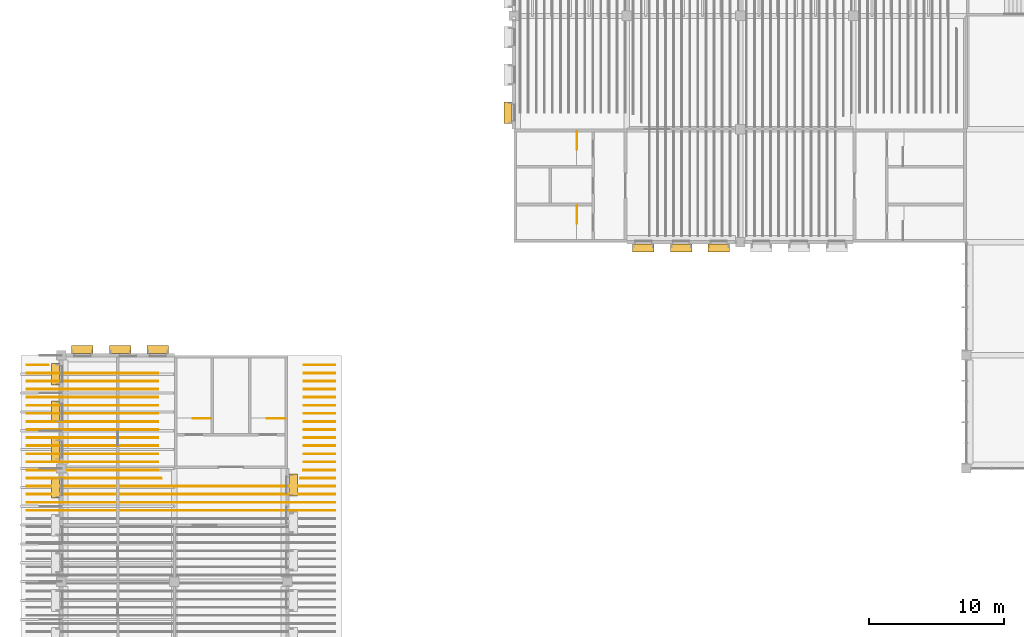
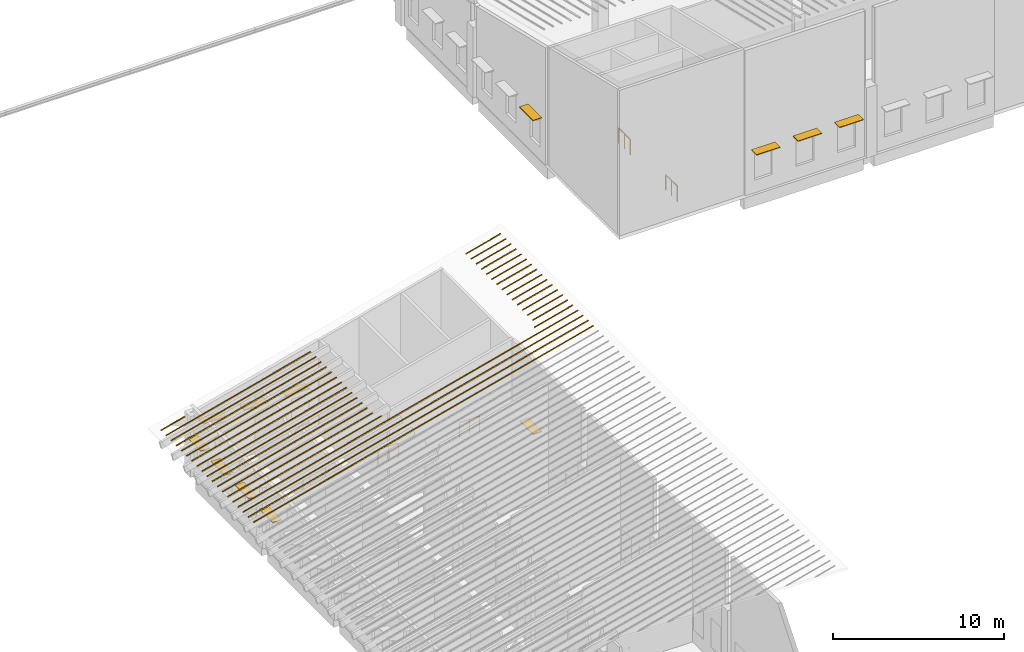
# One storey, part 64 of 82: 34 coverings, 12 shading devices, 4 railings.
"""IFC4 building model written with IfcOpenShell, lengths in metres."""

from ifc_helpers import new_model, si_unit, direction, frame, origin, origin_2d, place, context, subcontext, project, spatial, polyline, rectangle, circle, outline, extrude, material, layer, layer_set, material_profile, profile_set, type_object, element, save


model = new_model("IFC4")

# Units and contexts
model_context = context("Model", 3, precision=1e-05, world=origin(), true_north=direction((0.0, 1.0)))
body_context = subcontext(model_context, "Body", "Model", "MODEL_VIEW")
ifc_project = project(units=[si_unit("LENGTHUNIT", "METRE"), si_unit("AREAUNIT", "SQUARE_METRE"), si_unit("VOLUMEUNIT", "CUBIC_METRE"), si_unit("PLANEANGLEUNIT", "RADIAN"), si_unit("MASSUNIT", "GRAM", prefix="KILO")], contexts=[model_context])

# Site, building, storey
site_placement = place(None, origin())
site = spatial("IfcSite", under=ifc_project, at=site_placement, CompositionType="ELEMENT")
building_placement = place(site_placement, origin())
building = spatial("IfcBuilding", under=site, at=building_placement, Name="Almond Square Museum", CompositionType="ELEMENT")
storey_placement = place(building_placement, frame((0.0, 0.0, 20.0)))
storey = spatial("IfcBuildingStorey", under=building, at=storey_placement, Name="L03", CompositionType="ELEMENT", Elevation=20.0)

# Coverings
ifc_material_1 = material(Name="Zinc standing seam")
ifc_layer = layer(ifc_material_1, 0.0400390625)
ifc_layer_set = layer_set([ifc_layer], Name="Zinc standing seam")
covering_type = type_object("IfcCoveringType", Name="Roof standing seam rib 60 x 40", PredefinedType="CLADDING", material=ifc_layer_set)
for number, where, z_axis, x_axis, name in (
    (1, (26.35009765625, 64.110107421875, 10.329833984375), (-0.253365136604, 0.0, 0.96737071878), (-0.96737071878, 0.0, -0.253365136604), "Roof standing seam rib"),
    (2, (26.35009765625, 64.7099609375, 10.329833984375), (-0.253365136604, 0.0, 0.96737071878), (-0.96737071878, 0.0, -0.253365136604), "Roof standing seam rib"),
    (3, (26.35009765625, 65.31005859375, 10.329833984375), (-0.253365136604, 0.0, 0.96737071878), (-0.96737071878, 0.0, -0.253365136604), "Roof standing seam rib"),
):
    element("IfcCovering", number, at=place(storey_placement, frame(where, z_axis=z_axis, x_axis=x_axis)), inside=storey, type_object=covering_type, Name=name, PredefinedType="CLADDING", context=body_context, shape_type="SweptSolid", body=[
        extrude(outline(polyline([(0.0, 0.0), (23.672565273884217, 0.0), (23.672565273884217, 0.060058593750000014), (0.0, 0.060058593750000014), (0.0, 0.0)])), origin(), (0.0, 0.0, 1.0), 0.0400390625),
    ])
covering_1_placement = place(storey_placement, frame((26.35009765625, 65.909912109375, 10.329833984375), z_axis=(-0.253365136604, 0.0, 0.96737071878), x_axis=(-0.96737071878, 0.0, -0.253365136604)))
element("IfcCovering", 4, at=covering_1_placement, inside=storey, type_object=covering_type, Name="Roof standing seam rib", PredefinedType="CLADDING", context=body_context, shape_type="SweptSolid", body=[
    extrude(outline(polyline([(0.0, 0.0), (23.672565273884217, 0.0), (23.672565273884217, 0.059814453125000014), (0.0, 0.059814453125000014), (0.0, 0.0)])), origin(), (0.0, 0.0, 1.0), 0.0400390625),
])
covering_2_placement = place(storey_placement, frame((26.35009765625, 66.510009765625, 10.329833984375), z_axis=(-0.253412128758, -0.000634524892, 0.96735820169), x_axis=(-0.967358396431, 9.103e-09, -0.253412179767)))
element("IfcCovering", 5, at=covering_2_placement, inside=storey, type_object=covering_type, Name="Roof standing seam rib", PredefinedType="CLADDING", context=body_context, shape_type="SweptSolid", body=[
    extrude(outline(polyline([(0.0, 0.0), (2.6562755131969933, 2.168404344971009e-19), (2.7022283966295766, 0.06005863043968419), (-5.467320429400342e-10, 0.06005858165954805), (0.0, 0.0)])), origin(), (0.0, 0.0, 1.0), 0.0400390625),
])
covering_3_placement = place(storey_placement, frame((13.464111328125, 66.449951171875, 6.954833984375), z_axis=(-0.253362812646, 0.000139082365, 0.96737131745), x_axis=(-0.589709640263, 0.792686900591, -0.154563960263)))
element("IfcCovering", 6, at=covering_3_placement, inside=storey, type_object=covering_type, Name="Roof standing seam rib", PredefinedType="CLADDING", context=body_context, shape_type="SweptSolid", body=[
    extrude(outline(polyline([(0.0, 0.0), (0.07576584760892577, -1.1275702593849246e-17), (6.358445221426872, 8.169227577884401), (6.310837560893332, 8.20584103540997), (0.0, 0.0)])), origin(), (0.0, 0.0, 1.0), 0.0400390625),
])
covering_4_placement = place(storey_placement, frame((23.989501953125, 67.050048828125, 9.71142578125), z_axis=(-0.253398353042, -0.000887342386, 0.967361611446), x_axis=(0.967361992281, 1.9379e-08, 0.253398452819)))
element("IfcCovering", 7, at=covering_4_placement, inside=storey, type_object=covering_type, Name="Roof standing seam rib", PredefinedType="CLADDING", context=body_context, shape_type="SweptSolid", body=[
    extrude(outline(polyline([(0.0, 0.0), (2.4402542442262876, 0.0), (2.4402542453901392, 0.06005857010563235), (0.006337364195283949, 0.060058664560312225), (0.0, 0.0)])), origin(), (0.0, 0.0, 1.0), 0.0400390625),
])
covering_5_placement = place(storey_placement, frame((3.449951171875, 67.110107421875, 4.33203125), z_axis=(-0.253369317302, -0.001592260914, 0.967368313392), x_axis=(0.000403430572, -0.999998732352, -0.001540304707)))
element("IfcCovering", 8, at=covering_5_placement, inside=storey, type_object=covering_type, Name="Roof standing seam rib", PredefinedType="CLADDING", context=body_context, shape_type="SweptSolid", body=[
    extrude(outline(polyline([(0.0, 0.0), (0.06005851761683102, 0.0), (0.0600586698832655, 10.089957929893576), (-1.5226643446802912e-07, 10.083446253657613), (0.0, 0.0)])), origin(), (0.0, 0.0, 1.0), 0.0400390625),
])
covering_6_placement = place(storey_placement, frame((26.35009765625, 67.7099609375, 10.329833984375), z_axis=(-0.253350435153, 0.0, 0.967374569134), x_axis=(-0.967374569134, 0.0, -0.253350435153)))
element("IfcCovering", 9, at=covering_6_placement, inside=storey, type_object=covering_type, Name="Roof standing seam rib", PredefinedType="CLADDING", context=body_context, shape_type="SweptSolid", body=[
    extrude(outline(polyline([(0.0, 0.0), (2.429356457399304, 0.0), (2.429356457399304, 0.060058593750000014), (0.0, 0.060058593750000014), (0.0, 0.0)])), origin(), (0.0, 0.0, 1.0), 0.0400390625),
])
covering_7_placement = place(storey_placement, frame((13.199951171875, 67.64990234375, 6.8857421875), z_axis=(-0.253372345004, 0.0, 0.967368830792), x_axis=(0.0, 1.0, 0.0)))
element("IfcCovering", 10, at=covering_7_placement, inside=storey, type_object=covering_type, Name="Roof standing seam rib", PredefinedType="CLADDING", context=body_context, shape_type="SweptSolid", body=[
    extrude(outline(polyline([(0.0, 0.0), (0.06005859375, 0.0), (0.06005859375, 10.078885828915173), (0.0, 10.078885828915173), (0.0, 0.0)])), origin(), (0.0, 0.0, 1.0), 0.0400390625),
])
covering_8_placement = place(storey_placement, frame((26.35009765625, 68.31005859375, 10.329833984375), z_axis=(-0.253350435153, 0.0, 0.967374569134), x_axis=(-0.967374569134, 0.0, -0.253350435153)))
element("IfcCovering", 11, at=covering_8_placement, inside=storey, type_object=covering_type, Name="Roof standing seam rib", PredefinedType="CLADDING", context=body_context, shape_type="SweptSolid", body=[
    extrude(outline(polyline([(0.0, 0.0), (2.429356457399304, 0.0), (2.429356457399304, 0.060058593750000014), (0.0, 0.060058593750000014), (0.0, 0.0)])), origin(), (0.0, 0.0, 1.0), 0.0400390625),
])
covering_9_placement = place(storey_placement, frame((13.199951171875, 68.25, 6.8857421875), z_axis=(-0.253372345004, 0.0, 0.967368830792), x_axis=(0.0, 1.0, 0.0)))
element("IfcCovering", 12, at=covering_9_placement, inside=storey, type_object=covering_type, Name="Roof standing seam rib", PredefinedType="CLADDING", context=body_context, shape_type="SweptSolid", body=[
    extrude(outline(polyline([(0.0, 0.0), (0.06005859375, 0.0), (0.06005859375, 10.078885828915173), (0.0, 10.078885828915173), (0.0, 0.0)])), origin(), (0.0, 0.0, 1.0), 0.0400390625),
])
covering_10_placement = place(storey_placement, frame((26.35009765625, 68.909912109375, 10.329833984375), z_axis=(-0.253350435153, 0.0, 0.967374569134), x_axis=(-0.967374569134, 0.0, -0.253350435153)))
element("IfcCovering", 13, at=covering_10_placement, inside=storey, type_object=covering_type, Name="Roof standing seam rib", PredefinedType="CLADDING", context=body_context, shape_type="SweptSolid", body=[
    extrude(outline(polyline([(0.0, 0.0), (2.429356457399304, 0.0), (2.429356457399304, 0.059814453125000014), (0.0, 0.059814453125000014), (0.0, 0.0)])), origin(), (0.0, 0.0, 1.0), 0.0400390625),
])
covering_11_placement = place(storey_placement, frame((13.199951171875, 68.85009765625, 6.8857421875), z_axis=(-0.253372345004, 0.0, 0.967368830792), x_axis=(0.0, 1.0, 0.0)))
element("IfcCovering", 14, at=covering_11_placement, inside=storey, type_object=covering_type, Name="Roof standing seam rib", PredefinedType="CLADDING", context=body_context, shape_type="SweptSolid", body=[
    extrude(outline(polyline([(0.0, 0.0), (0.059814453125, 0.0), (0.059814453125, 10.078885828915173), (0.0, 10.078885828915173), (0.0, 0.0)])), origin(), (0.0, 0.0, 1.0), 0.0400390625),
])
covering_12_placement = place(storey_placement, frame((26.35009765625, 69.510009765625, 10.329833984375), z_axis=(-0.253350435153, 0.0, 0.967374569134), x_axis=(-0.967374569134, 0.0, -0.253350435153)))
element("IfcCovering", 15, at=covering_12_placement, inside=storey, type_object=covering_type, Name="Roof standing seam rib", PredefinedType="CLADDING", context=body_context, shape_type="SweptSolid", body=[
    extrude(outline(polyline([(0.0, 0.0), (2.429356457399304, 0.0), (2.429356457399304, 0.060058593750000014), (0.0, 0.060058593750000014), (0.0, 0.0)])), origin(), (0.0, 0.0, 1.0), 0.0400390625),
])
covering_13_placement = place(storey_placement, frame((13.199951171875, 69.449951171875, 6.8857421875), z_axis=(-0.253372345004, 0.0, 0.967368830792), x_axis=(0.0, 1.0, 0.0)))
element("IfcCovering", 16, at=covering_13_placement, inside=storey, type_object=covering_type, Name="Roof standing seam rib", PredefinedType="CLADDING", context=body_context, shape_type="SweptSolid", body=[
    extrude(outline(polyline([(0.0, 0.0), (0.06005859375, 0.0), (0.06005859375, 10.078885828915173), (0.0, 10.078885828915173), (0.0, 0.0)])), origin(), (0.0, 0.0, 1.0), 0.0400390625),
])
covering_14_placement = place(storey_placement, frame((26.35009765625, 70.110107421875, 10.329833984375), z_axis=(-0.253350435153, 0.0, 0.967374569134), x_axis=(-0.967374569134, 0.0, -0.253350435153)))
element("IfcCovering", 17, at=covering_14_placement, inside=storey, type_object=covering_type, Name="Roof standing seam rib", PredefinedType="CLADDING", context=body_context, shape_type="SweptSolid", body=[
    extrude(outline(polyline([(0.0, 0.0), (2.429356457399304, 0.0), (2.429356457399304, 0.060058593750000014), (0.0, 0.060058593750000014), (0.0, 0.0)])), origin(), (0.0, 0.0, 1.0), 0.0400390625),
])
covering_15_placement = place(storey_placement, frame((13.199951171875, 70.050048828125, 6.8857421875), z_axis=(-0.253372345004, 0.0, 0.967368830792), x_axis=(0.0, 1.0, 0.0)))
element("IfcCovering", 18, at=covering_15_placement, inside=storey, type_object=covering_type, Name="Roof standing seam rib", PredefinedType="CLADDING", context=body_context, shape_type="SweptSolid", body=[
    extrude(outline(polyline([(0.0, 0.0), (0.06005859375, 0.0), (0.06005859375, 10.078885828915173), (0.0, 10.078885828915173), (0.0, 0.0)])), origin(), (0.0, 0.0, 1.0), 0.0400390625),
])
covering_16_placement = place(storey_placement, frame((26.35009765625, 70.7099609375, 10.329833984375), z_axis=(-0.253350435153, 0.0, 0.967374569134), x_axis=(-0.967374569134, 0.0, -0.253350435153)))
element("IfcCovering", 19, at=covering_16_placement, inside=storey, type_object=covering_type, Name="Roof standing seam rib", PredefinedType="CLADDING", context=body_context, shape_type="SweptSolid", body=[
    extrude(outline(polyline([(0.0, 0.0), (2.429356457399304, 0.0), (2.429356457399304, 0.060058593750000014), (0.0, 0.060058593750000014), (0.0, 0.0)])), origin(), (0.0, 0.0, 1.0), 0.0400390625),
])
covering_17_placement = place(storey_placement, frame((13.199951171875, 70.64990234375, 6.8857421875), z_axis=(-0.253372345004, 0.0, 0.967368830792), x_axis=(0.0, 1.0, 0.0)))
element("IfcCovering", 20, at=covering_17_placement, inside=storey, type_object=covering_type, Name="Roof standing seam rib", PredefinedType="CLADDING", context=body_context, shape_type="SweptSolid", body=[
    extrude(outline(polyline([(0.0, 0.0), (0.06005859375, 0.0), (0.06005859375, 10.078885828915173), (0.0, 10.078885828915173), (0.0, 0.0)])), origin(), (0.0, 0.0, 1.0), 0.0400390625),
])
covering_18_placement = place(storey_placement, frame((26.35009765625, 71.31005859375, 10.329833984375), z_axis=(-0.253350435153, 0.0, 0.967374569134), x_axis=(-0.967374569134, 0.0, -0.253350435153)))
element("IfcCovering", 21, at=covering_18_placement, inside=storey, type_object=covering_type, Name="Roof standing seam rib", PredefinedType="CLADDING", context=body_context, shape_type="SweptSolid", body=[
    extrude(outline(polyline([(0.0, 0.0), (2.429356457399304, 0.0), (2.429356457399304, 0.060058593750000014), (0.0, 0.060058593750000014), (0.0, 0.0)])), origin(), (0.0, 0.0, 1.0), 0.0400390625),
])
covering_19_placement = place(storey_placement, frame((13.199951171875, 71.25, 6.8857421875), z_axis=(-0.253372345004, 0.0, 0.967368830792), x_axis=(0.0, 1.0, 0.0)))
element("IfcCovering", 22, at=covering_19_placement, inside=storey, type_object=covering_type, Name="Roof standing seam rib", PredefinedType="CLADDING", context=body_context, shape_type="SweptSolid", body=[
    extrude(outline(polyline([(0.0, 0.0), (0.06005859375, 0.0), (0.06005859375, 10.078885828915173), (0.0, 10.078885828915173), (0.0, 0.0)])), origin(), (0.0, 0.0, 1.0), 0.0400390625),
])
covering_20_placement = place(storey_placement, frame((26.35009765625, 71.909912109375, 10.329833984375), z_axis=(-0.253350435153, 0.0, 0.967374569134), x_axis=(-0.967374569134, 0.0, -0.253350435153)))
element("IfcCovering", 23, at=covering_20_placement, inside=storey, type_object=covering_type, Name="Roof standing seam rib", PredefinedType="CLADDING", context=body_context, shape_type="SweptSolid", body=[
    extrude(outline(polyline([(0.0, 0.0), (2.429356457399304, 0.0), (2.429356457399304, 0.059814453125000014), (0.0, 0.059814453125000014), (0.0, 0.0)])), origin(), (0.0, 0.0, 1.0), 0.0400390625),
])
covering_21_placement = place(storey_placement, frame((13.199951171875, 71.85009765625, 6.8857421875), z_axis=(-0.253372345004, 0.0, 0.967368830792), x_axis=(0.0, 1.0, 0.0)))
element("IfcCovering", 24, at=covering_21_placement, inside=storey, type_object=covering_type, Name="Roof standing seam rib", PredefinedType="CLADDING", context=body_context, shape_type="SweptSolid", body=[
    extrude(outline(polyline([(0.0, 0.0), (0.059814453125, 0.0), (0.059814453125, 10.078885828915173), (0.0, 10.078885828915173), (0.0, 0.0)])), origin(), (0.0, 0.0, 1.0), 0.0400390625),
])
covering_22_placement = place(storey_placement, frame((26.35009765625, 72.510009765625, 10.329833984375), z_axis=(-0.253350435153, 0.0, 0.967374569134), x_axis=(-0.967374569134, 0.0, -0.253350435153)))
element("IfcCovering", 25, at=covering_22_placement, inside=storey, type_object=covering_type, Name="Roof standing seam rib", PredefinedType="CLADDING", context=body_context, shape_type="SweptSolid", body=[
    extrude(outline(polyline([(0.0, 0.0), (2.429356457399304, 0.0), (2.429356457399304, 0.060058593750000014), (0.0, 0.060058593750000014), (0.0, 0.0)])), origin(), (0.0, 0.0, 1.0), 0.0400390625),
])
covering_23_placement = place(storey_placement, frame((13.199951171875, 72.449951171875, 6.8857421875), z_axis=(-0.253372345004, 0.0, 0.967368830792), x_axis=(0.0, 1.0, 0.0)))
element("IfcCovering", 26, at=covering_23_placement, inside=storey, type_object=covering_type, Name="Roof standing seam rib", PredefinedType="CLADDING", context=body_context, shape_type="SweptSolid", body=[
    extrude(outline(polyline([(0.0, 0.0), (0.06005859375, 0.0), (0.06005859375, 10.078885828915173), (0.0, 10.078885828915173), (0.0, 0.0)])), origin(), (0.0, 0.0, 1.0), 0.0400390625),
])
covering_24_placement = place(storey_placement, frame((26.35009765625, 73.110107421875, 10.329833984375), z_axis=(-0.253350435153, 0.0, 0.967374569134), x_axis=(-0.967374569134, 0.0, -0.253350435153)))
element("IfcCovering", 27, at=covering_24_placement, inside=storey, type_object=covering_type, Name="Roof standing seam rib", PredefinedType="CLADDING", context=body_context, shape_type="SweptSolid", body=[
    extrude(outline(polyline([(0.0, 0.0), (2.429356457399304, 0.0), (2.429356457399304, 0.060058593750000014), (0.0, 0.060058593750000014), (0.0, 0.0)])), origin(), (0.0, 0.0, 1.0), 0.0400390625),
])
covering_25_placement = place(storey_placement, frame((13.199951171875, 73.050048828125, 6.8857421875), z_axis=(-0.253372345004, 0.0, 0.967368830792), x_axis=(0.0, 1.0, 0.0)))
element("IfcCovering", 28, at=covering_25_placement, inside=storey, type_object=covering_type, Name="Roof standing seam rib", PredefinedType="CLADDING", context=body_context, shape_type="SweptSolid", body=[
    extrude(outline(polyline([(0.0, 0.0), (0.06005859375, 0.0), (0.06005859375, 10.078885828915173), (0.0, 10.078885828915173), (0.0, 0.0)])), origin(), (0.0, 0.0, 1.0), 0.0400390625),
])
covering_26_placement = place(storey_placement, frame((26.35009765625, 73.7099609375, 10.329833984375), z_axis=(-0.253350435153, 0.0, 0.967374569134), x_axis=(-0.967374569134, 0.0, -0.253350435153)))
element("IfcCovering", 29, at=covering_26_placement, inside=storey, type_object=covering_type, Name="Roof standing seam rib", PredefinedType="CLADDING", context=body_context, shape_type="SweptSolid", body=[
    extrude(outline(polyline([(0.0, 0.0), (2.429356457399304, 0.0), (2.429356457399304, 0.060058593750000014), (0.0, 0.060058593750000014), (0.0, 0.0)])), origin(), (0.0, 0.0, 1.0), 0.0400390625),
])
covering_27_placement = place(storey_placement, frame((13.199951171875, 73.64990234375, 6.8857421875), z_axis=(-0.253372345004, 0.0, 0.967368830792), x_axis=(0.0, 1.0, 0.0)))
element("IfcCovering", 30, at=covering_27_placement, inside=storey, type_object=covering_type, Name="Roof standing seam rib", PredefinedType="CLADDING", context=body_context, shape_type="SweptSolid", body=[
    extrude(outline(polyline([(0.0, 0.0), (0.06005859375, 0.0), (0.06005859375, 10.078885828915173), (0.0, 10.078885828915173), (0.0, 0.0)])), origin(), (0.0, 0.0, 1.0), 0.0400390625),
])
covering_28_placement = place(storey_placement, frame((26.35009765625, 74.31005859375, 10.329833984375), z_axis=(-0.253350435153, 0.0, 0.967374569134), x_axis=(-0.967374569134, 0.0, -0.253350435153)))
element("IfcCovering", 31, at=covering_28_placement, inside=storey, type_object=covering_type, Name="Roof standing seam rib", PredefinedType="CLADDING", context=body_context, shape_type="SweptSolid", body=[
    extrude(outline(polyline([(0.0, 0.0), (2.429356457399304, 0.0), (2.429356457399304, 0.060058593750000014), (0.0, 0.060058593750000014), (0.0, 0.0)])), origin(), (0.0, 0.0, 1.0), 0.0400390625),
])
covering_29_placement = place(storey_placement, frame((13.199951171875, 74.25, 6.8857421875), z_axis=(-0.253372345004, 0.0, 0.967368830792), x_axis=(0.0, 1.0, 0.0)))
element("IfcCovering", 32, at=covering_29_placement, inside=storey, type_object=covering_type, Name="Roof standing seam rib", PredefinedType="CLADDING", context=body_context, shape_type="SweptSolid", body=[
    extrude(outline(polyline([(0.0, 0.0), (0.06005859375, 0.0), (0.06005859375, 10.078885828915173), (0.0, 10.078885828915173), (0.0, 0.0)])), origin(), (0.0, 0.0, 1.0), 0.0400390625),
])
covering_30_placement = place(storey_placement, frame((5.01953125, 74.909912109375, 4.7431640625), z_axis=(-0.253412232975, 0.000637073243, 0.967358172714), x_axis=(-0.967358369024, -1.4962e-08, -0.253412284391)))
element("IfcCovering", 33, at=covering_30_placement, inside=storey, type_object=covering_type, Name="Roof standing seam rib", PredefinedType="CLADDING", context=body_context, shape_type="SweptSolid", body=[
    extrude(outline(polyline([(0.0, 0.0), (1.6225325296304416, 0.0), (1.6225325305253893, 0.05981444098678252), (-0.0459528830926106, 0.05981449022720742), (0.0, 0.0)])), origin(), (0.0, 0.0, 1.0), 0.0400390625),
])
covering_31_placement = place(storey_placement, frame((26.35009765625, 74.909912109375, 10.329833984375), z_axis=(-0.253350435153, 0.0, 0.967374569134), x_axis=(-0.967374569134, 0.0, -0.253350435153)))
element("IfcCovering", 34, at=covering_31_placement, inside=storey, type_object=covering_type, Name="Roof standing seam rib", PredefinedType="CLADDING", context=body_context, shape_type="SweptSolid", body=[
    extrude(outline(polyline([(0.0, 0.0), (2.429356457399304, 0.0), (2.429356457399304, 0.059814453125000014), (0.0, 0.059814453125000014), (0.0, 0.0)])), origin(), (0.0, 0.0, 1.0), 0.0400390625),
])

# Railings
ifc_material_2 = material(Name="Stainless steel and laminated glass", Category="steel")
railing_type = type_object("IfcRailingType", Name="Stair guard 1100 steel and glass", PredefinedType="GUARDRAIL", material=ifc_material_2)
for number, where, name in (
    (35, (44.300048828125, 86.72998046875, 0.0), "L03 ST-17 top well guard 1"),
    (36, (44.300048828125, 92.22998046875, 0.0), "L03 ST-18 top well guard 1"),
):
    element("IfcRailing", number, at=place(storey_placement, frame(where)), inside=storey, type_object=railing_type, Name=name, PredefinedType="GUARDRAIL", context=body_context, shape_type="SweptSolid", body=[
        extrude(circle(Radius=0.02392578125, at=origin_2d()), frame((0.0, 0.0, 1.076171875), z_axis=(0.0, -1.0, 0.0), x_axis=(1.0, 0.0, 0.0)), (0.0, 0.0, 1.0), 1.35009765625),
        extrude(circle(Radius=0.02099609375, at=origin_2d()), origin(), (0.0, 0.0, 1.0), 1.052001953125),
        extrude(circle(Radius=0.02099609375, at=origin_2d()), frame((0.0, -0.675048828125, 0.0)), (0.0, 0.0, 1.0), 1.052001953125),
        extrude(circle(Radius=0.02099609375, at=origin_2d()), frame((0.0, -1.35009765625, 0.0)), (0.0, 0.0, 1.0), 1.052001953125),
    ])
for number, where, name in (
    (37, (17.1298828125, 70.89990234375, 0.0), "L03 ST-23 top well guard 1"),
    (38, (22.6298828125, 70.89990234375, 0.0), "L03 ST-24 top well guard 1"),
):
    element("IfcRailing", number, at=place(storey_placement, frame(where)), inside=storey, type_object=railing_type, Name=name, PredefinedType="GUARDRAIL", context=body_context, shape_type="SweptSolid", body=[
        extrude(circle(Radius=0.02392578125, at=origin_2d()), frame((0.0, 0.0, 1.076171875), z_axis=(-1.0, 0.0, 0.0), x_axis=(0.0, -1.0, 0.0)), (0.0, 0.0, 1.0), 1.349853515625),
        extrude(circle(Radius=0.02099609375, at=origin_2d()), origin(), (0.0, 0.0, 1.0), 1.052001953125),
        extrude(circle(Radius=0.02099609375, at=origin_2d()), frame((-0.6748046875, 0.0, 0.0)), (0.0, 0.0, 1.0), 1.052001953125),
        extrude(circle(Radius=0.02099609375, at=origin_2d()), frame((-1.349853515625, 0.0, 0.0)), (0.0, 0.0, 1.0), 1.052001953125),
    ])

# Shading devices
ifc_material_3 = material(Name="Anodised aluminium", Category="aluminium")
ifc_material_profile = material_profile(ifc_material_3, rectangle(XDim=0.60009765625, YDim=0.050048828125, at=origin_2d()))
ifc_profile_set = profile_set([ifc_material_profile], Name="Anodised aluminium")
shading_device_type = type_object("IfcShadingDeviceType", Name="Sun-shade blade 600 x 50", PredefinedType="USERDEFINED", material=ifc_profile_set)
shading_device_1_placement = place(storey_placement, frame((23.222900390625, 65.175048828125, 3.1201171875), z_axis=(0.0, 1.0, 0.0), x_axis=(-1.0, 0.0, 0.0)))
element("IfcShadingDevice", 39, at=shading_device_1_placement, inside=storey, type_object=shading_device_type, Name="Sun-shade blade", ObjectType="LOUVRE", PredefinedType="USERDEFINED", context=body_context, shape_type="SweptSolid", body=[
    extrude(rectangle(XDim=0.60009765625, YDim=0.050048828125, at=origin_2d()), origin(), (0.0, 0.0, 1.0), 1.599853515625),
])
for number, where, z_axis, x_axis, name in (
    (40, (6.77490234375, 76.02294921875, 3.1201171875), (1.0, 0.0, 0.0), (0.0, 1.0, 0.0), "Sun-shade blade"),
    (41, (9.574951171875, 76.02294921875, 3.1201171875), (1.0, 0.0, 0.0), (0.0, 1.0, 0.0), "Sun-shade blade"),
    (42, (12.375, 76.02294921875, 3.1201171875), (1.0, 0.0, 0.0), (0.0, 1.0, 0.0), "Sun-shade blade"),
):
    element("IfcShadingDevice", number, at=place(storey_placement, frame(where, z_axis=z_axis, x_axis=x_axis)), inside=storey, type_object=shading_device_type, Name=name, ObjectType="LOUVRE", PredefinedType="USERDEFINED", context=body_context, shape_type="SweptSolid", body=[
        extrude(rectangle(XDim=0.60009765625, YDim=0.050048828125, at=origin_2d()), origin(), (0.0, 0.0, 1.0), 1.60009765625),
    ])
for number, where, z_axis, x_axis, name in (
    (43, (5.576904296875, 67.800048828125, 3.1201171875), (0.0, 1.0, 0.0), (-1.0, 0.0, 0.0), "Sun-shade blade"),
    (44, (5.576904296875, 70.60009765625, 3.1201171875), (0.0, 1.0, 0.0), (-1.0, 0.0, 0.0), "Sun-shade blade"),
):
    element("IfcShadingDevice", number, at=place(storey_placement, frame(where, z_axis=z_axis, x_axis=x_axis)), inside=storey, type_object=shading_device_type, Name=name, ObjectType="LOUVRE", PredefinedType="USERDEFINED", context=body_context, shape_type="SweptSolid", body=[
        extrude(rectangle(XDim=0.60009765625, YDim=0.050048828125, at=origin_2d()), origin(), (0.0, 0.0, 1.0), 1.599853515625),
    ])
for number, where, z_axis, x_axis, name in (
    (45, (5.576904296875, 73.39990234375, 3.1201171875), (0.0, 1.0, 0.0), (-1.0, 0.0, 0.0), "Sun-shade blade"),
    (46, (5.576904296875, 65.0, 3.1201171875), (0.0, 1.0, 0.0), (-1.0, 0.0, 0.0), "Sun-shade blade"),
    (47, (39.177001953125, 92.824951171875, 3.1201171875), (0.0, 1.0, 0.0), (-1.0, 0.0, 0.0), "Sun-shade blade"),
):
    element("IfcShadingDevice", number, at=place(storey_placement, frame(where, z_axis=z_axis, x_axis=x_axis)), inside=storey, type_object=shading_device_type, Name=name, ObjectType="LOUVRE", PredefinedType="USERDEFINED", context=body_context, shape_type="SweptSolid", body=[
        extrude(rectangle(XDim=0.60009765625, YDim=0.050048828125, at=origin_2d()), origin(), (0.0, 0.0, 1.0), 1.60009765625),
    ])
for number, where, z_axis, x_axis, name in (
    (48, (48.425048828125, 83.576904296875, 3.1201171875), (1.0, 0.0, 0.0), (0.0, 1.0, 0.0), "Sun-shade blade"),
    (49, (51.22509765625, 83.576904296875, 3.1201171875), (1.0, 0.0, 0.0), (0.0, 1.0, 0.0), "Sun-shade blade"),
):
    element("IfcShadingDevice", number, at=place(storey_placement, frame(where, z_axis=z_axis, x_axis=x_axis)), inside=storey, type_object=shading_device_type, Name=name, ObjectType="LOUVRE", PredefinedType="USERDEFINED", context=body_context, shape_type="SweptSolid", body=[
        extrude(rectangle(XDim=0.60009765625, YDim=0.050048828125, at=origin_2d()), origin(), (0.0, 0.0, 1.0), 1.599853515625),
    ])
shading_device_2_placement = place(storey_placement, frame((54.02490234375, 83.576904296875, 3.1201171875), z_axis=(1.0, 0.0, 0.0), x_axis=(0.0, 1.0, 0.0)))
element("IfcShadingDevice", 50, at=shading_device_2_placement, inside=storey, type_object=shading_device_type, Name="Sun-shade blade", ObjectType="LOUVRE", PredefinedType="USERDEFINED", context=body_context, shape_type="SweptSolid", body=[
    extrude(rectangle(XDim=0.60009765625, YDim=0.050048828125, at=origin_2d()), origin(), (0.0, 0.0, 1.0), 1.60009765625),
])

save(model, "model.ifc")
